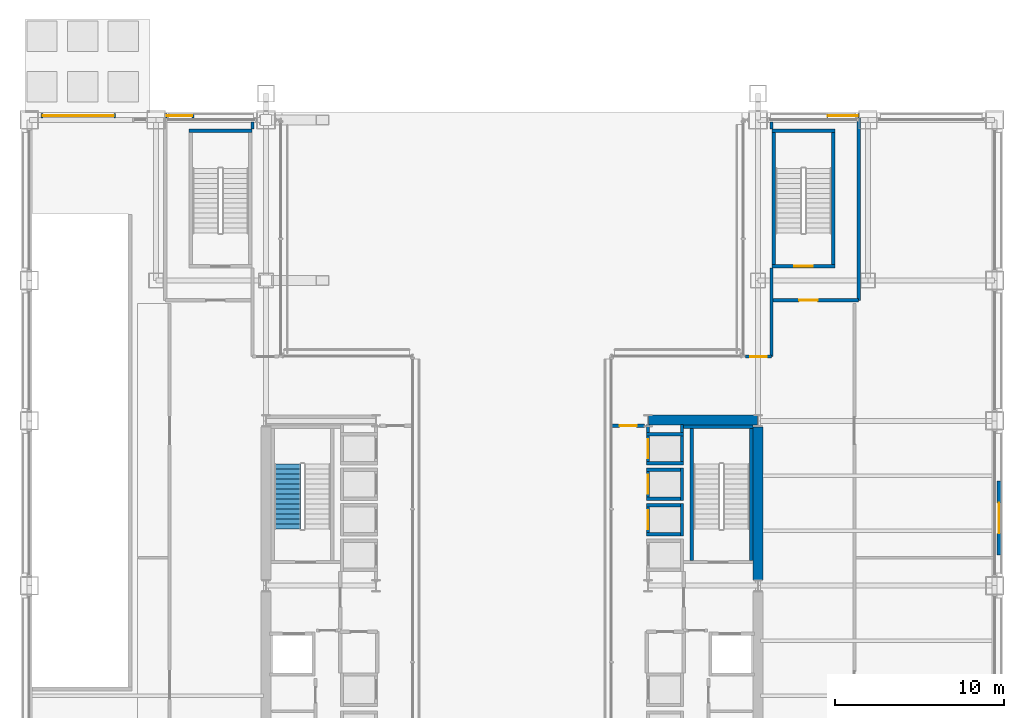
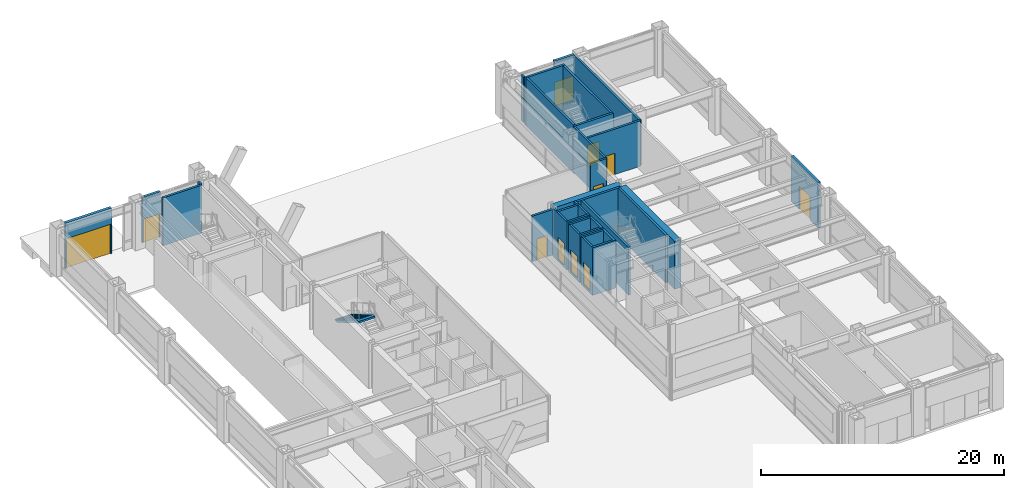
# One storey, part 33 of 37: 33 walls, 11 doors, 1 stair flight, 11 openings, 1 element without a shape of its own.
"""IFC4 building model written with IfcOpenShell, lengths in metres."""

from ifc_helpers import new_model, si_unit, direction, frame, frame_2d, origin, place, context, subcontext, project, spatial, polyline, rectangle, outline, extrude, material, layer, layer_set, type_object, element, fill, aggregate, save


model = new_model("IFC4")

# Units and contexts
model_context = context("Model", 3, precision=1e-05, world=origin(), true_north=direction((0.0, 1.0)))
body_context = subcontext(model_context, "Body", "Model", "MODEL_VIEW")
ifc_project = project(units=[si_unit("LENGTHUNIT", "METRE"), si_unit("AREAUNIT", "SQUARE_METRE"), si_unit("VOLUMEUNIT", "CUBIC_METRE"), si_unit("PLANEANGLEUNIT", "RADIAN"), si_unit("MASSUNIT", "GRAM", prefix="KILO")], contexts=[model_context])

# Site, building, storey
site_placement = place(None, origin())
site = spatial("IfcSite", under=ifc_project, at=site_placement, CompositionType="ELEMENT")
building_placement = place(site_placement, origin())
building = spatial("IfcBuilding", under=site, at=building_placement, Name="Brelmoor Portico Tower", CompositionType="ELEMENT")
storey_placement = place(building_placement, origin())
storey = spatial("IfcBuildingStorey", under=building, at=storey_placement, Name="L00", CompositionType="ELEMENT", Elevation=0.0)

# Walls
ifc_material_1 = material(Name="Concrete C60", Category="concrete")
ifc_layer_1 = layer(ifc_material_1, 0.60009765625)
ifc_layer_set_1 = layer_set([ifc_layer_1], Name="Concrete C60")
wall_type_1 = type_object("IfcWallType", Name="WL-CORE-600", PredefinedType="SHEAR", material=ifc_layer_set_1)
wall_1_placement = place(storey_placement, frame((8.070068359375, 9.800048828125, -0.219970703125), z_axis=(0.0, 0.0, 1.0), x_axis=(1.0, 0.0, 0.0)))
element("IfcWall", 1, at=wall_1_placement, inside=storey, type_object=wall_type_1, Name="L00 EC North Shear Wall", PredefinedType="SHEAR", context=body_context, shape_type="SweptSolid", body=[
    extrude(rectangle(XDim=6.4599609375, YDim=0.60009765625, at=frame_2d((3.22998046875, 0.0))), origin(), (0.0, 0.0, 1.0), 4.800048828125),
])
wall_2_placement = place(storey_placement, frame((14.550048828125, 0.35009765625, -0.219970703125), z_axis=(0.0, 0.0, 1.0), x_axis=(0.0, 1.0, 0.0)))
element("IfcWall", 2, at=wall_2_placement, inside=storey, type_object=wall_type_1, Name="L00 EC Outer North Shear Wall", PredefinedType="SHEAR", context=body_context, shape_type="SweptSolid", body=[
    extrude(rectangle(XDim=9.0498046875, YDim=0.60009765625, at=frame_2d((4.52490234375, 0.0))), origin(), (0.0, 0.0, 1.0), 4.800048828125),
])

# Wall, opening, door
ifc_material_2 = material(Name="Precast Concrete C40 Insulated Facade Wall", Category="concrete")
ifc_layer_2 = layer(ifc_material_2, 0.25)
ifc_layer_set_2 = layer_set([ifc_layer_2], Name="Precast Concrete C40 Insulated Facade Wall")
wall_type_2 = type_object("IfcWallType", Name="WL-EXT-250", PredefinedType="STANDARD", material=ifc_layer_set_2)
wall_3_placement = place(storey_placement, frame((-20.52001953125, 27.800048828125, 0.0), z_axis=(0.0, 0.0, 1.0), x_axis=(1.0, 0.0, 0.0)))
wall_3 = element("IfcWall", 3, at=wall_3_placement, inside=storey, type_object=wall_type_2, Name="L00 Final Exit Portal Wall ED-05", PredefinedType="STANDARD", context=body_context, shape_type="SweptSolid", body=[
    extrude(rectangle(XDim=1.699951171875, YDim=0.25, at=frame_2d((0.85009765625, 0.0))), origin(), (0.0, 0.0, 1.0), 4.580078125),
])
opening_1_placement = place(wall_3_placement, frame((0.10009765625, 0.0, 0.0)))
opening_1 = element("IfcOpeningElement", 4, at=opening_1_placement, cuts=wall_3, Name="Opening ED-03", PredefinedType="OPENING", context=body_context, shape_type="SweptSolid", body=[
    extrude(rectangle(XDim=1.5, YDim=2.39990234375, at=frame_2d((0.75, 1.199951171875))), frame((0.0, 0.135009765625, 0.0), z_axis=(0.0, -1.0, 0.0), x_axis=(1.0, 0.0, 0.0)), (0.0, 0.0, 1.0), 0.27001953125),
])
ifc_material_3 = material(Name="Anodised Aluminium Protected Corridor Exit Door", Category="aluminium")
door_type_1 = type_object("IfcDoorType", Name="DR-EXIT-1500", OperationType="NOTDEFINED", PredefinedType="DOOR", material=ifc_material_3)
door_1_placement = place(opening_1_placement, origin())
door_1 = element("IfcDoor", 5, at=door_1_placement, inside=storey, type_object=door_type_1, Name="D-0053 L00 Ground Final Exit Door ED-05", OperationType="DOUBLE_DOOR_SINGLE_SWING", OverallHeight=2.39990234375, OverallWidth=1.5, PredefinedType="DOOR", context=body_context, shape_type="SweptSolid", body=[
    extrude(rectangle(XDim=1.5, YDim=2.39990234375, at=frame_2d((0.75, 1.199951171875))), frame((0.0, 0.02490234375, 0.0), z_axis=(0.0, -1.0, 0.0), x_axis=(1.0, 0.0, 0.0)), (0.0, 0.0, 1.0), 0.050048828125),
])
fill(opening_1, door_1)

wall_4_placement = place(storey_placement, frame((18.6201171875, 27.800048828125, 0.0), z_axis=(0.0, 0.0, 1.0), x_axis=(1.0, 0.0, 0.0)))
wall_4 = element("IfcWall", 6, at=wall_4_placement, inside=storey, type_object=wall_type_2, Name="L00 Final Exit Portal Wall ED-06", PredefinedType="STANDARD", context=body_context, shape_type="SweptSolid", body=[
    extrude(rectangle(XDim=1.89990234375, YDim=0.25, at=frame_2d((0.949951171875, 0.0))), origin(), (0.0, 0.0, 1.0), 4.580078125),
])
opening_2_placement = place(wall_4_placement, frame((0.050048828125, 0.0, 0.0)))
opening_2 = element("IfcOpeningElement", 7, at=opening_2_placement, cuts=wall_4, Name="Opening ED-02", PredefinedType="OPENING", context=body_context, shape_type="SweptSolid", body=[
    extrude(rectangle(XDim=1.800048828125, YDim=2.39990234375, at=frame_2d((0.89990234375, 1.199951171875))), frame((0.0, 0.135009765625, 0.0), z_axis=(0.0, -1.0, 0.0), x_axis=(1.0, 0.0, 0.0)), (0.0, 0.0, 1.0), 0.27001953125),
])
ifc_material_4 = material(Name="Anodised Aluminium Secondary Exit Door", Category="aluminium")
door_type_2 = type_object("IfcDoorType", Name="DR-EXIT-1800", OperationType="NOTDEFINED", PredefinedType="DOOR", material=ifc_material_4)
door_2_placement = place(opening_2_placement, origin())
door_2 = element("IfcDoor", 8, at=door_2_placement, inside=storey, type_object=door_type_2, Name="D-0054 L00 Ground Final Exit Door ED-06", OperationType="DOUBLE_DOOR_SINGLE_SWING", OverallHeight=2.39990234375, OverallWidth=1.800048828125, PredefinedType="DOOR", context=body_context, shape_type="SweptSolid", body=[
    extrude(rectangle(XDim=1.800048828125, YDim=2.39990234375, at=frame_2d((0.89990234375, 1.199951171875))), frame((0.0, 0.02490234375, 0.0), z_axis=(0.0, -1.0, 0.0), x_axis=(1.0, 0.0, 0.0)), (0.0, 0.0, 1.0), 0.050048828125),
])
fill(opening_2, door_2)

wall_5_placement = place(storey_placement, frame((28.800048828125, 6.199951171875, 0.0), z_axis=(0.0, 0.0, 1.0), x_axis=(0.0, -1.0, 0.0)))
wall_5 = element("IfcWall", 9, at=wall_5_placement, inside=storey, type_object=wall_type_2, Name="L00 Final Exit Portal Wall ED-08", PredefinedType="STANDARD", context=body_context, shape_type="SweptSolid", body=[
    extrude(rectangle(XDim=4.39990234375, YDim=0.25, at=frame_2d((2.199951171875, 0.0))), origin(), (0.0, 0.0, 1.0), 4.580078125),
])
opening_3_placement = place(wall_5_placement, frame((1.300048828125, 0.0, 0.0)))
opening_3 = element("IfcOpeningElement", 10, at=opening_3_placement, cuts=wall_5, Name="Opening ED-02", PredefinedType="OPENING", context=body_context, shape_type="SweptSolid", body=[
    extrude(rectangle(XDim=1.800048828125, YDim=2.39990234375, at=frame_2d((0.89990234375, 1.199951171875))), frame((0.0, 0.135009765625, 0.0), z_axis=(0.0, -1.0, 0.0), x_axis=(1.0, 0.0, 0.0)), (0.0, 0.0, 1.0), 0.27001953125),
])
door_3_placement = place(opening_3_placement, origin())
door_3 = element("IfcDoor", 11, at=door_3_placement, inside=storey, type_object=door_type_2, Name="D-0056 L00 Ground Final Exit Door ED-08", OperationType="DOUBLE_DOOR_SINGLE_SWING", OverallHeight=2.39990234375, OverallWidth=1.800048828125, PredefinedType="DOOR", context=body_context, shape_type="SweptSolid", body=[
    extrude(rectangle(XDim=1.800048828125, YDim=2.39990234375, at=frame_2d((0.89990234375, 1.199951171875))), frame((0.0, 0.02490234375, 0.0), z_axis=(0.0, -1.0, 0.0), x_axis=(1.0, 0.0, 0.0)), (0.0, 0.0, 1.0), 0.050048828125),
])
fill(opening_3, door_3)

ifc_material_5 = material(Name="Precast Concrete C40 Acoustic Spandrel Wall", Category="concrete")
ifc_layer_3 = layer(ifc_material_5, 0.280029296875)
ifc_layer_set_3 = layer_set([ifc_layer_3], Name="Precast Concrete C40 Acoustic Spandrel Wall")
wall_type_3 = type_object("IfcWallType", Name="WL-EXT-280", PredefinedType="STANDARD", material=ifc_layer_set_3)
wall_6_placement = place(storey_placement, frame((-27.85009765625, 27.800048828125, 0.0), z_axis=(0.0, 0.0, 1.0), x_axis=(1.0, 0.0, 0.0)))
wall_6 = element("IfcWall", 12, at=wall_6_placement, inside=storey, type_object=wall_type_3, Name="L00 Car Park Street Entrance Portal Wall VG-01", PredefinedType="STANDARD", context=body_context, shape_type="SweptSolid", body=[
    extrude(rectangle(XDim=4.400146484375, YDim=0.280029296875, at=frame_2d((2.2001953125, 0.0))), origin(), (0.0, 0.0, 1.0), 4.580078125),
])
opening_4_placement = place(wall_6_placement, frame((0.10009765625, 0.0, 0.0)))
opening_4 = element("IfcOpeningElement", 13, at=opening_4_placement, cuts=wall_6, Name="Opening VG-01", PredefinedType="OPENING", context=body_context, shape_type="SweptSolid", body=[
    extrude(rectangle(XDim=4.199951171875, YDim=3.0, at=frame_2d((2.10009765625, 1.5))), frame((0.0, 0.14990234375, 0.0), z_axis=(0.0, -1.0, 0.0), x_axis=(1.0, 0.0, 0.0)), (0.0, 0.0, 1.0), 0.300048828125),
])
ifc_material_6 = material(Name="Perforated Galvanised Steel Roller Shutter Gate", Category="steel")
door_type_3 = type_object("IfcDoorType", Name="DR-GATE-4200", OperationType="NOTDEFINED", PredefinedType="GATE", material=ifc_material_6)
door_4_placement = place(opening_4_placement, origin())
door_4 = element("IfcDoor", 14, at=door_4_placement, inside=storey, type_object=door_type_3, Name="D-0081 L00 Car Park Street Roller Shutter Gate VG-01", OperationType="ROLLINGUP", OverallHeight=3.0, OverallWidth=4.199951171875, PredefinedType="GATE", context=body_context, shape_type="SweptSolid", body=[
    extrude(rectangle(XDim=4.199951171875, YDim=3.0, at=frame_2d((2.10009765625, 1.5))), frame((0.0, 0.02490234375, 0.0), z_axis=(0.0, -1.0, 0.0), x_axis=(1.0, 0.0, 0.0)), (0.0, 0.0, 1.0), 0.050048828125),
])
fill(opening_4, door_4)

# Wall
ifc_material_7 = material(Name="Acoustic Corridor Fire Partition", Category="gypsum")
ifc_layer_4 = layer(ifc_material_7, 0.179931640625)
ifc_layer_set_4 = layer_set([ifc_layer_4], Name="Acoustic Corridor Fire Partition")
wall_type_4 = type_object("IfcWallType", Name="WL-PART-180", PredefinedType="PARTITIONING", material=ifc_layer_set_4)
wall_7_placement = place(storey_placement, frame((-15.35009765625, 27.0, 0.0), z_axis=(0.0, 0.0, 1.0), x_axis=(0.0, 1.0, 0.0)))
element("IfcWall", 15, at=wall_7_placement, inside=storey, type_object=wall_type_4, Name="L00 W North Reception Outer Wall North Closer", PredefinedType="PARTITIONING", context=body_context, shape_type="SweptSolid", body=[
    extrude(rectangle(XDim=0.419921875, YDim=0.179931640625, at=frame_2d((0.2099609375, 0.0))), origin(), (0.0, 0.0, 1.0), 4.580078125),
])

# Wall, opening, door
wall_8_placement = place(storey_placement, frame((13.800048828125, 13.550048828125, 0.0), z_axis=(0.0, 0.0, 1.0), x_axis=(1.0, 0.0, 0.0)))
wall_8 = element("IfcWall", 16, at=wall_8_placement, inside=storey, type_object=wall_type_4, Name="L00 E North Reception Wall", PredefinedType="PARTITIONING", context=body_context, shape_type="SweptSolid", body=[
    extrude(rectangle(XDim=1.550048828125, YDim=0.179931640625, at=frame_2d((0.77490234375, 0.0))), origin(), (0.0, 0.0, 1.0), 4.580078125),
])
opening_5_placement = place(wall_8_placement, frame((0.300048828125, 0.0, 0.0)))
opening_5 = element("IfcOpeningElement", 17, at=opening_5_placement, cuts=wall_8, Name="Opening D-IN2", PredefinedType="OPENING", context=body_context, shape_type="SweptSolid", body=[
    extrude(rectangle(XDim=0.9599609375, YDim=2.179931640625, at=frame_2d((0.47998046875, 1.08984375))), frame((0.0, 0.099853515625, 0.0), z_axis=(0.0, -1.0, 0.0), x_axis=(1.0, 0.0, 0.0)), (0.0, 0.0, 1.0), 0.199951171875),
])
ifc_material_8 = material(Name="Lacquered Timber Suite Door", Category="wood")
door_type_4 = type_object("IfcDoorType", Name="DR-INT-950", OperationType="NOTDEFINED", PredefinedType="DOOR", material=ifc_material_8)
door_5_placement = place(opening_5_placement, origin())
door_5 = element("IfcDoor", 18, at=door_5_placement, inside=storey, type_object=door_type_4, Name="D-0067 L00 E North Reception Foyer Door", OperationType="SINGLE_SWING_RIGHT", OverallHeight=2.179931640625, OverallWidth=0.9599609375, PredefinedType="DOOR", context=body_context, shape_type="SweptSolid", body=[
    extrude(rectangle(XDim=0.9599609375, YDim=2.179931640625, at=frame_2d((0.47998046875, 1.08984375))), frame((0.0, 0.02490234375, 0.0), z_axis=(0.0, -1.0, 0.0), x_axis=(1.0, 0.0, 0.0)), (0.0, 0.0, 1.0), 0.050048828125),
])
fill(opening_5, door_5)

# Walls
wall_9_placement = place(storey_placement, frame((15.35009765625, 13.550048828125, 0.0), z_axis=(0.0, 0.0, 1.0), x_axis=(0.0, 1.0, 0.0)))
element("IfcWall", 19, at=wall_9_placement, inside=storey, type_object=wall_type_4, Name="L00 E North Reception Outer Wall", PredefinedType="PARTITIONING", context=body_context, shape_type="SweptSolid", body=[
    extrude(rectangle(XDim=5.25, YDim=0.179931640625, at=frame_2d((2.625, 0.0))), origin(), (0.0, 0.0, 1.0), 4.580078125),
])
wall_10_placement = place(storey_placement, frame((15.35009765625, 27.0, 0.0), z_axis=(0.0, 0.0, 1.0), x_axis=(0.0, 1.0, 0.0)))
element("IfcWall", 20, at=wall_10_placement, inside=storey, type_object=wall_type_4, Name="L00 E North Reception Outer Wall North Closer", PredefinedType="PARTITIONING", context=body_context, shape_type="SweptSolid", body=[
    extrude(rectangle(XDim=0.419921875, YDim=0.179931640625, at=frame_2d((0.2099609375, 0.0))), origin(), (0.0, 0.0, 1.0), 4.580078125),
])

# Wall, opening, door
ifc_material_9 = material(Name="Double-Stud Gypsum Fire Partition", Category="gypsum")
ifc_layer_5 = layer(ifc_material_9, 0.199951171875)
ifc_layer_set_5 = layer_set([ifc_layer_5], Name="Double-Stud Gypsum Fire Partition")
wall_type_5 = type_object("IfcWallType", Name="WL-PART-200", PredefinedType="PARTITIONING", material=ifc_layer_set_5)
wall_11_placement = place(storey_placement, frame((5.919921875, 9.449951171875, 0.0), z_axis=(0.0, 0.0, 1.0), x_axis=(1.0, 0.0, 0.0)))
wall_11 = element("IfcWall", 21, at=wall_11_placement, inside=storey, type_object=wall_type_5, Name="L00 E Pier Lift Lobby North Wall", PredefinedType="PARTITIONING", context=body_context, shape_type="SweptSolid", body=[
    extrude(rectangle(XDim=1.93017578125, YDim=0.199951171875, at=frame_2d((0.965087890625, 0.0))), origin(), (0.0, 0.0, 1.0), 4.580078125),
])
opening_6_placement = place(wall_11_placement, frame((0.449951171875, 0.0, 0.0)))
opening_6 = element("IfcOpeningElement", 22, at=opening_6_placement, cuts=wall_11, Name="Opening D-FR2", PredefinedType="OPENING", context=body_context, shape_type="SweptSolid", body=[
    extrude(rectangle(XDim=1.0, YDim=2.14990234375, at=frame_2d((0.5, 1.074951171875))), frame((0.0, 0.10986328125, 0.0), z_axis=(0.0, -1.0, 0.0), x_axis=(1.0, 0.0, 0.0)), (0.0, 0.0, 1.0), 0.219970703125),
])
ifc_material_10 = material(Name="Painted Galvanised Steel Fire Door", Category="steel")
door_type_5 = type_object("IfcDoorType", Name="DR-FIRE-1000", OperationType="NOTDEFINED", PredefinedType="DOOR", material=ifc_material_10)
door_6_placement = place(opening_6_placement, origin())
door_6 = element("IfcDoor", 23, at=door_6_placement, inside=storey, type_object=door_type_5, Name="D-0063 L00 E Pier Lift Lobby North Door", OperationType="SINGLE_SWING_LEFT", OverallHeight=2.14990234375, OverallWidth=1.0, PredefinedType="DOOR", context=body_context, shape_type="SweptSolid", body=[
    extrude(rectangle(XDim=1.0, YDim=2.14990234375, at=frame_2d((0.5, 1.074951171875))), frame((0.0, 0.02490234375, 0.0), z_axis=(0.0, -1.0, 0.0), x_axis=(1.0, 0.0, 0.0)), (0.0, 0.0, 1.0), 0.050048828125),
])
fill(opening_6, door_6)

wall_12_placement = place(storey_placement, frame((15.3798828125, 16.8798828125, 0.0), z_axis=(0.0, 0.0, 1.0), x_axis=(1.0, 0.0, 0.0)))
wall_12 = element("IfcWall", 24, at=wall_12_placement, inside=storey, type_object=wall_type_5, Name="L00 E Protected Exit Corridor South Fire Wall", PredefinedType="PARTITIONING", context=body_context, shape_type="SweptSolid", body=[
    extrude(rectangle(XDim=5.10009765625, YDim=0.199951171875, at=frame_2d((2.550048828125, 0.0))), origin(), (0.0, 0.0, 1.0), 4.580078125),
])
opening_7_placement = place(wall_12_placement, frame((1.60009765625, 0.0, 0.0)))
opening_7 = element("IfcOpeningElement", 25, at=opening_7_placement, cuts=wall_12, Name="Opening D-FR1", PredefinedType="OPENING", context=body_context, shape_type="SweptSolid", body=[
    extrude(rectangle(XDim=1.10009765625, YDim=2.14990234375, at=frame_2d((0.550048828125, 1.074951171875))), frame((0.0, 0.10986328125, 0.0), z_axis=(0.0, -1.0, 0.0), x_axis=(1.0, 0.0, 0.0)), (0.0, 0.0, 1.0), 0.219970703125),
])
door_type_6 = type_object("IfcDoorType", Name="DR-FIRE-1100", OperationType="NOTDEFINED", PredefinedType="DOOR", material=ifc_material_10)
door_7_placement = place(opening_7_placement, origin())
door_7 = element("IfcDoor", 26, at=door_7_placement, inside=storey, type_object=door_type_6, Name="D-0059 L00 E Protected Exit Corridor Fire Door", OperationType="SINGLE_SWING_LEFT", OverallHeight=2.14990234375, OverallWidth=1.10009765625, PredefinedType="DOOR", context=body_context, shape_type="SweptSolid", body=[
    extrude(rectangle(XDim=1.10009765625, YDim=2.14990234375, at=frame_2d((0.550048828125, 1.074951171875))), frame((0.0, 0.02490234375, 0.0), z_axis=(0.0, -1.0, 0.0), x_axis=(1.0, 0.0, 0.0)), (0.0, 0.0, 1.0), 0.050048828125),
])
fill(opening_7, door_7)

# Wall
wall_13_placement = place(storey_placement, frame((20.52001953125, 16.8798828125, 0.0), z_axis=(0.0, 0.0, 1.0), x_axis=(0.0, 1.0, 0.0)))
element("IfcWall", 27, at=wall_13_placement, inside=storey, type_object=wall_type_5, Name="L00 E Protected Exit Corridor Outer Fire Wall", PredefinedType="PARTITIONING", context=body_context, shape_type="SweptSolid", body=[
    extrude(rectangle(XDim=10.77001953125, YDim=0.199951171875, at=frame_2d((5.385009765625, 0.0))), origin(), (0.0, 0.0, 1.0), 4.580078125),
])

# Wall, opening, door
ifc_material_11 = material(Name="Precast Concrete C40", Category="concrete")
ifc_layer_6 = layer(ifc_material_11, 0.18994140625)
ifc_layer_set_6 = layer_set([ifc_layer_6], Name="Precast Concrete C40")
wall_type_6 = type_object("IfcWallType", Name="WL-SHAFT-180", PredefinedType="SOLIDWALL", material=ifc_layer_set_6)
wall_14_placement = place(storey_placement, frame((8.044921875, 2.949951171875, -0.219970703125), z_axis=(0.0, 0.0, 1.0), x_axis=(0.0, 1.0, 0.0)))
wall_14 = element("IfcWall", 28, at=wall_14_placement, inside=storey, type_object=wall_type_6, Name="L00 Lift PM2 Hoistway Front Wall", PredefinedType="SOLIDWALL", context=body_context, shape_type="SweptSolid", body=[
    extrude(rectangle(XDim=1.900146484375, YDim=0.18994140625, at=frame_2d((0.9501953125, 0.0))), origin(), (0.0, 0.0, 1.0), 4.800048828125),
])
opening_8_placement = place(wall_14_placement, frame((0.39990234375, 0.0, 0.219970703125)))
opening_8 = element("IfcOpeningElement", 29, at=opening_8_placement, cuts=wall_14, Name="Opening LD-01", PredefinedType="OPENING", context=body_context, shape_type="SweptSolid", body=[
    extrude(rectangle(XDim=1.10009765625, YDim=2.199951171875, at=frame_2d((0.550048828125, 1.10009765625))), frame((0.0, 0.10498046875, 0.0), z_axis=(0.0, -1.0, 0.0), x_axis=(1.0, 0.0, 0.0)), (0.0, 0.0, 1.0), 0.2099609375),
])
ifc_material_12 = material(Name="Brushed Stainless Steel Sliding Lift Door", Category="steel")
door_type_7 = type_object("IfcDoorType", Name="DR-LIFT-1100", OperationType="NOTDEFINED", PredefinedType="DOOR", material=ifc_material_12)
door_8_placement = place(opening_8_placement, origin())
door_8 = element("IfcDoor", 30, at=door_8_placement, inside=storey, type_object=door_type_7, Name="D-0093 L00 Lift PM2 Sliding Landing Door", OperationType="SLIDING_TO_LEFT", OverallHeight=2.199951171875, OverallWidth=1.10009765625, PredefinedType="DOOR", context=body_context, shape_type="SweptSolid", body=[
    extrude(rectangle(XDim=1.10009765625, YDim=2.199951171875, at=frame_2d((0.550048828125, 1.10009765625))), frame((0.0, 0.02490234375, 0.0), z_axis=(0.0, -1.0, 0.0), x_axis=(1.0, 0.0, 0.0)), (0.0, 0.0, 1.0), 0.050048828125),
])
fill(opening_8, door_8)

# Walls
wall_15_placement = place(storey_placement, frame((10.054931640625, 2.949951171875, -0.219970703125), z_axis=(0.0, 0.0, 1.0), x_axis=(0.0, 1.0, 0.0)))
element("IfcWall", 31, at=wall_15_placement, inside=storey, type_object=wall_type_6, Name="L00 Lift PM2 Hoistway Back Wall", PredefinedType="SOLIDWALL", context=body_context, shape_type="SweptSolid", body=[
    extrude(rectangle(XDim=1.900146484375, YDim=0.18994140625, at=frame_2d((0.9501953125, 0.0))), origin(), (0.0, 0.0, 1.0), 4.800048828125),
])
for number, where, z_axis, x_axis, name in (
    (32, (7.949951171875, 4.7548828125, -0.219970703125), (0.0, 0.0, 1.0), (1.0, 0.0, 0.0), "L00 Lift PM2 Hoistway North Wall"),
    (33, (7.949951171875, 3.044921875, -0.219970703125), (0.0, 0.0, 1.0), (1.0, 0.0, 0.0), "L00 Lift PM2 Hoistway South Wall"),
):
    element("IfcWall", number, at=place(storey_placement, frame(where, z_axis=z_axis, x_axis=x_axis)), inside=storey, type_object=wall_type_6, Name=name, PredefinedType="SOLIDWALL", context=body_context, shape_type="SweptSolid", body=[
        extrude(rectangle(XDim=2.199951171875, YDim=0.18994140625, at=frame_2d((1.10009765625, 0.0))), origin(), (0.0, 0.0, 1.0), 4.800048828125),
    ])

# Wall, opening, door
wall_16_placement = place(storey_placement, frame((8.044921875, 5.050048828125, -0.219970703125), z_axis=(0.0, 0.0, 1.0), x_axis=(0.0, 1.0, 0.0)))
wall_16 = element("IfcWall", 34, at=wall_16_placement, inside=storey, type_object=wall_type_6, Name="L00 Lift PM3 Hoistway Front Wall", PredefinedType="SOLIDWALL", context=body_context, shape_type="SweptSolid", body=[
    extrude(rectangle(XDim=1.89990234375, YDim=0.18994140625, at=frame_2d((0.949951171875, 0.0))), origin(), (0.0, 0.0, 1.0), 4.800048828125),
])
opening_9_placement = place(wall_16_placement, frame((0.39990234375, 0.0, 0.219970703125)))
opening_9 = element("IfcOpeningElement", 35, at=opening_9_placement, cuts=wall_16, Name="Opening LD-01", PredefinedType="OPENING", context=body_context, shape_type="SweptSolid", body=[
    extrude(rectangle(XDim=1.10009765625, YDim=2.199951171875, at=frame_2d((0.550048828125, 1.10009765625))), frame((0.0, 0.10498046875, 0.0), z_axis=(0.0, -1.0, 0.0), x_axis=(1.0, 0.0, 0.0)), (0.0, 0.0, 1.0), 0.2099609375),
])
door_9_placement = place(opening_9_placement, origin())
door_9 = element("IfcDoor", 36, at=door_9_placement, inside=storey, type_object=door_type_7, Name="D-0094 L00 Lift PM3 Sliding Landing Door", OperationType="SLIDING_TO_LEFT", OverallHeight=2.199951171875, OverallWidth=1.10009765625, PredefinedType="DOOR", context=body_context, shape_type="SweptSolid", body=[
    extrude(rectangle(XDim=1.10009765625, YDim=2.199951171875, at=frame_2d((0.550048828125, 1.10009765625))), frame((0.0, 0.02490234375, 0.0), z_axis=(0.0, -1.0, 0.0), x_axis=(1.0, 0.0, 0.0)), (0.0, 0.0, 1.0), 0.050048828125),
])
fill(opening_9, door_9)

# Walls
wall_17_placement = place(storey_placement, frame((10.054931640625, 5.050048828125, -0.219970703125), z_axis=(0.0, 0.0, 1.0), x_axis=(0.0, 1.0, 0.0)))
element("IfcWall", 37, at=wall_17_placement, inside=storey, type_object=wall_type_6, Name="L00 Lift PM3 Hoistway Back Wall", PredefinedType="SOLIDWALL", context=body_context, shape_type="SweptSolid", body=[
    extrude(rectangle(XDim=1.89990234375, YDim=0.18994140625, at=frame_2d((0.949951171875, 0.0))), origin(), (0.0, 0.0, 1.0), 4.800048828125),
])
for number, where, z_axis, x_axis, name in (
    (38, (7.949951171875, 6.85498046875, -0.219970703125), (0.0, 0.0, 1.0), (1.0, 0.0, 0.0), "L00 Lift PM3 Hoistway North Wall"),
    (39, (7.949951171875, 5.14501953125, -0.219970703125), (0.0, 0.0, 1.0), (1.0, 0.0, 0.0), "L00 Lift PM3 Hoistway South Wall"),
):
    element("IfcWall", number, at=place(storey_placement, frame(where, z_axis=z_axis, x_axis=x_axis)), inside=storey, type_object=wall_type_6, Name=name, PredefinedType="SOLIDWALL", context=body_context, shape_type="SweptSolid", body=[
        extrude(rectangle(XDim=2.199951171875, YDim=0.18994140625, at=frame_2d((1.10009765625, 0.0))), origin(), (0.0, 0.0, 1.0), 4.800048828125),
    ])

# Wall, opening, door
wall_18_placement = place(storey_placement, frame((8.044921875, 7.14990234375, -0.219970703125), z_axis=(0.0, 0.0, 1.0), x_axis=(0.0, 1.0, 0.0)))
wall_18 = element("IfcWall", 40, at=wall_18_placement, inside=storey, type_object=wall_type_6, Name="L00 Lift PM4 Hoistway Front Wall", PredefinedType="SOLIDWALL", context=body_context, shape_type="SweptSolid", body=[
    extrude(rectangle(XDim=2.3701171875, YDim=0.18994140625, at=frame_2d((1.18505859375, 0.0))), origin(), (0.0, 0.0, 1.0), 4.800048828125),
])
opening_10_placement = place(wall_18_placement, frame((0.39990234375, 0.0, 0.219970703125)))
opening_10 = element("IfcOpeningElement", 41, at=opening_10_placement, cuts=wall_18, Name="Opening LD-01", PredefinedType="OPENING", context=body_context, shape_type="SweptSolid", body=[
    extrude(rectangle(XDim=1.10009765625, YDim=2.199951171875, at=frame_2d((0.550048828125, 1.10009765625))), frame((0.0, 0.10498046875, 0.0), z_axis=(0.0, -1.0, 0.0), x_axis=(1.0, 0.0, 0.0)), (0.0, 0.0, 1.0), 0.2099609375),
])
door_10_placement = place(opening_10_placement, origin())
door_10 = element("IfcDoor", 42, at=door_10_placement, inside=storey, type_object=door_type_7, Name="D-0095 L00 Lift PM4 Sliding Landing Door", OperationType="SLIDING_TO_LEFT", OverallHeight=2.199951171875, OverallWidth=1.10009765625, PredefinedType="DOOR", context=body_context, shape_type="SweptSolid", body=[
    extrude(rectangle(XDim=1.10009765625, YDim=2.199951171875, at=frame_2d((0.550048828125, 1.10009765625))), frame((0.0, 0.02490234375, 0.0), z_axis=(0.0, -1.0, 0.0), x_axis=(1.0, 0.0, 0.0)), (0.0, 0.0, 1.0), 0.050048828125),
])
fill(opening_10, door_10)

# Walls
wall_19_placement = place(storey_placement, frame((10.054931640625, 7.14990234375, -0.219970703125), z_axis=(0.0, 0.0, 1.0), x_axis=(0.0, 1.0, 0.0)))
element("IfcWall", 43, at=wall_19_placement, inside=storey, type_object=wall_type_6, Name="L00 Lift PM4 Hoistway Back Wall", PredefinedType="SOLIDWALL", context=body_context, shape_type="SweptSolid", body=[
    extrude(rectangle(XDim=2.3701171875, YDim=0.18994140625, at=frame_2d((1.18505859375, 0.0))), origin(), (0.0, 0.0, 1.0), 4.800048828125),
])
for number, where, z_axis, x_axis, name in (
    (44, (7.949951171875, 8.955078125, -0.219970703125), (0.0, 0.0, 1.0), (1.0, 0.0, 0.0), "L00 Lift PM4 Hoistway North Wall"),
    (45, (7.949951171875, 7.2451171875, -0.219970703125), (0.0, 0.0, 1.0), (1.0, 0.0, 0.0), "L00 Lift PM4 Hoistway South Wall"),
):
    element("IfcWall", number, at=place(storey_placement, frame(where, z_axis=z_axis, x_axis=x_axis)), inside=storey, type_object=wall_type_6, Name=name, PredefinedType="SOLIDWALL", context=body_context, shape_type="SweptSolid", body=[
        extrude(rectangle(XDim=2.199951171875, YDim=0.18994140625, at=frame_2d((1.10009765625, 0.0))), origin(), (0.0, 0.0, 1.0), 4.800048828125),
    ])
ifc_material_13 = material(Name="Concrete C40", Category="concrete")
ifc_layer_7 = layer(ifc_material_13, 0.199951171875)
ifc_layer_set_7 = layer_set([ifc_layer_7], Name="Concrete C40")
wall_type_7 = type_object("IfcWallType", Name="WL-SHAFT-RC200", PredefinedType="SOLIDWALL", material=ifc_layer_set_7)
wall_20_placement = place(storey_placement, frame((14.14990234375, 1.5, -0.219970703125), z_axis=(0.0, 0.0, 1.0), x_axis=(0.0, 1.0, 0.0)))
element("IfcWall", 46, at=wall_20_placement, inside=storey, type_object=wall_type_7, Name="L00 ST-E Structural Stair Wall Outer", PredefinedType="SOLIDWALL", context=body_context, shape_type="SweptSolid", body=[
    extrude(rectangle(XDim=7.800048828125, YDim=0.199951171875, at=frame_2d((3.89990234375, 0.0))), origin(), (0.0, 0.0, 1.0), 4.800048828125),
])
wall_21_placement = place(storey_placement, frame((10.14990234375, 9.39990234375, -0.219970703125), z_axis=(0.0, 0.0, 1.0), x_axis=(1.0, 0.0, 0.0)))
element("IfcWall", 47, at=wall_21_placement, inside=storey, type_object=wall_type_7, Name="L00 ST-E Structural Stair Wall N", PredefinedType="SOLIDWALL", context=body_context, shape_type="SweptSolid", body=[
    extrude(rectangle(XDim=4.10009765625, YDim=0.199951171875, at=frame_2d((2.050048828125, 0.0))), origin(), (0.0, 0.0, 1.0), 4.800048828125),
])
wall_22_placement = place(storey_placement, frame((10.6298828125, 1.5, -0.219970703125), z_axis=(0.0, 0.0, 1.0), x_axis=(0.0, 1.0, 0.0)))
element("IfcWall", 48, at=wall_22_placement, inside=storey, type_object=wall_type_7, Name="L00 ST-E Structural Stair Wall Inner", PredefinedType="SOLIDWALL", context=body_context, shape_type="SweptSolid", body=[
    extrude(rectangle(XDim=7.800048828125, YDim=0.199951171875, at=frame_2d((3.89990234375, 0.0))), origin(), (0.0, 0.0, 1.0), 4.800048828125),
])
wall_23_placement = place(storey_placement, frame((-19.10009765625, 26.89990234375, -0.219970703125), z_axis=(0.0, 0.0, 1.0), x_axis=(1.0, 0.0, 0.0)))
element("IfcWall", 49, at=wall_23_placement, inside=storey, type_object=wall_type_7, Name="L00 ST-P1 Structural Stair Wall N", PredefinedType="SOLIDWALL", context=body_context, shape_type="SweptSolid", body=[
    extrude(rectangle(XDim=3.72021484375, YDim=0.199951171875, at=frame_2d((1.860107421875, 0.0))), origin(), (0.0, 0.0, 1.0), 4.800048828125),
])

# Wall, opening, door
wall_24_placement = place(storey_placement, frame((19.10009765625, 18.89990234375, -0.219970703125), z_axis=(0.0, 0.0, 1.0), x_axis=(-1.0, 0.0, 0.0)))
wall_24 = element("IfcWall", 50, at=wall_24_placement, inside=storey, type_object=wall_type_7, Name="L00 ST-P2 Structural Stair Wall S", PredefinedType="SOLIDWALL", context=body_context, shape_type="SweptSolid", body=[
    extrude(rectangle(XDim=3.72021484375, YDim=0.199951171875, at=frame_2d((1.860107421875, 0.0))), origin(), (0.0, 0.0, 1.0), 4.800048828125),
])
opening_11_placement = place(wall_24_placement, frame((1.300048828125, 0.0, 0.219970703125)))
opening_11 = element("IfcOpeningElement", 51, at=opening_11_placement, cuts=wall_24, Name="Opening D-ST1", PredefinedType="OPENING", context=body_context, shape_type="SweptSolid", body=[
    extrude(rectangle(XDim=1.1201171875, YDim=2.179931640625, at=frame_2d((0.56005859375, 1.08984375))), frame((0.0, 0.10986328125, 0.0), z_axis=(0.0, -1.0, 0.0), x_axis=(1.0, 0.0, 0.0)), (0.0, 0.0, 1.0), 0.219970703125),
])
door_type_8 = type_object("IfcDoorType", Name="DR-STAIR-1100", OperationType="NOTDEFINED", PredefinedType="DOOR", material=ifc_material_10)
door_11_placement = place(opening_11_placement, origin())
door_11 = element("IfcDoor", 52, at=door_11_placement, inside=storey, type_object=door_type_8, Name="D-0079 L00 ST-P2 Podium Exit Stair Door", OperationType="SINGLE_SWING_RIGHT", OverallHeight=2.179931640625, OverallWidth=1.1201171875, PredefinedType="DOOR", context=body_context, shape_type="SweptSolid", body=[
    extrude(rectangle(XDim=1.1201171875, YDim=2.179931640625, at=frame_2d((0.56005859375, 1.08984375))), frame((0.0, 0.02490234375, 0.0), z_axis=(0.0, -1.0, 0.0), x_axis=(1.0, 0.0, 0.0)), (0.0, 0.0, 1.0), 0.050048828125),
])
fill(opening_11, door_11)

# Walls
wall_25_placement = place(storey_placement, frame((15.3798828125, 26.89990234375, -0.219970703125), z_axis=(0.0, 0.0, 1.0), x_axis=(1.0, 0.0, 0.0)))
element("IfcWall", 53, at=wall_25_placement, inside=storey, type_object=wall_type_7, Name="L00 ST-P2 Structural Stair Wall N", PredefinedType="SOLIDWALL", context=body_context, shape_type="SweptSolid", body=[
    extrude(rectangle(XDim=3.72021484375, YDim=0.199951171875, at=frame_2d((1.860107421875, 0.0))), origin(), (0.0, 0.0, 1.0), 4.800048828125),
])
for number, where, z_axis, x_axis, name in (
    (54, (15.47998046875, 19.0, -0.219970703125), (0.0, 0.0, 1.0), (0.0, 1.0, 0.0), "L00 ST-P2 Structural Stair Wall W"),
    (55, (19.0, 19.0, -0.219970703125), (0.0, 0.0, 1.0), (0.0, 1.0, 0.0), "L00 ST-P2 Structural Stair Wall E"),
):
    element("IfcWall", number, at=place(storey_placement, frame(where, z_axis=z_axis, x_axis=x_axis)), inside=storey, type_object=wall_type_7, Name=name, PredefinedType="SOLIDWALL", context=body_context, shape_type="SweptSolid", body=[
        extrude(rectangle(XDim=7.800048828125, YDim=0.199951171875, at=frame_2d((3.89990234375, 0.0))), origin(), (0.0, 0.0, 1.0), 4.800048828125),
    ])

# Stair, stair flight
stair_type = type_object("IfcStairType", Name="ST-CORE-W", PredefinedType="HALF_TURN_STAIR", material=ifc_material_13)
stair_placement = place(storey_placement, origin())
stair = element("IfcStair", 56, at=stair_placement, inside=storey, type_object=stair_type, Name="L00 Protected Core Exit Stair ST-W", PredefinedType="HALF_TURN_STAIR")
stair_flight_type = type_object("IfcStairFlightType", Name="SF-CORE-1850", PredefinedType="STRAIGHT", material=ifc_material_13)
stair_flight_placement = place(storey_placement, frame((-13.27001953125, 7.18505859375, 2.39990234375), z_axis=(0.0, 0.0, 1.0), x_axis=(0.0, -1.0, 0.0)))
stair_flight = element("IfcStairFlight", 57, at=stair_flight_placement, type_object=stair_flight_type, Name="ST-W flight 2", NumberOfRisers=14, NumberOfTreads=13, PredefinedType="STRAIGHT", RiserHeight=0.171428571, TreadLength=0.295, context=body_context, shape_type="SweptSolid", body=[
    extrude(outline(polyline([(0.0, 0.0), (0.0, 0.17138671875), (0.294921875, 0.17138671875), (0.294921875, 0.3427734375), (0.590087890625, 0.3427734375), (0.590087890625, 0.514404296875), (0.885009765625, 0.514404296875), (0.885009765625, 0.685791015625), (1.179931640625, 0.685791015625), (1.179931640625, 0.857177734375), (1.47509765625, 0.857177734375), (1.47509765625, 1.028564453125), (1.77001953125, 1.028564453125), (1.77001953125, 1.199951171875), (2.06494140625, 1.199951171875), (2.06494140625, 1.371337890625), (2.360107421875, 1.371337890625), (2.360107421875, 1.54296875), (2.655029296875, 1.54296875), (2.655029296875, 1.71435546875), (2.949951171875, 1.71435546875), (2.949951171875, 1.8857421875), (3.2451171875, 1.8857421875), (3.2451171875, 2.05712890625), (3.5400390625, 2.05712890625), (3.5400390625, 2.228515625), (3.8349609375, 2.228515625), (3.8349609375, 2.39990234375), (3.8349609375, 2.05517578125), (0.29833984375, 0.0), (0.0, 0.0)])), frame((0.0, 0.780029296875, 0.0), z_axis=(0.0, -1.0, 0.0), x_axis=(1.0, 0.0, 0.0)), (0.0, 0.0, 1.0), 1.56005859375),
])
aggregate(stair, [stair_flight])

save(model, "model.ifc")
